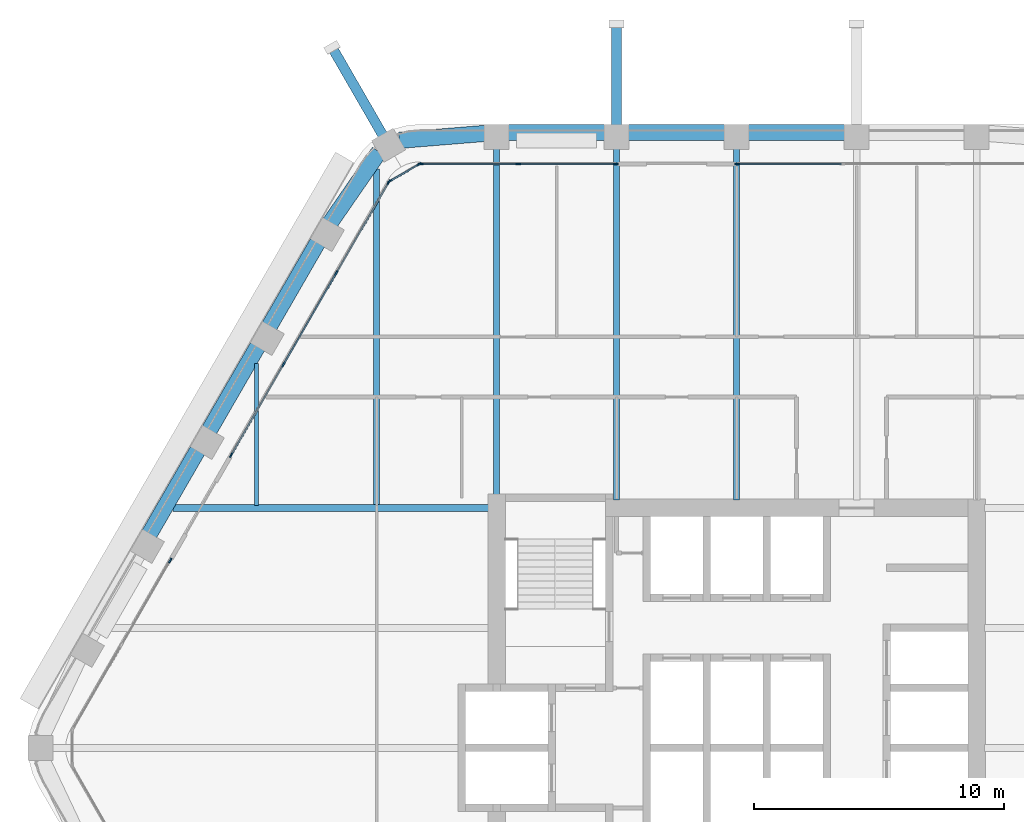
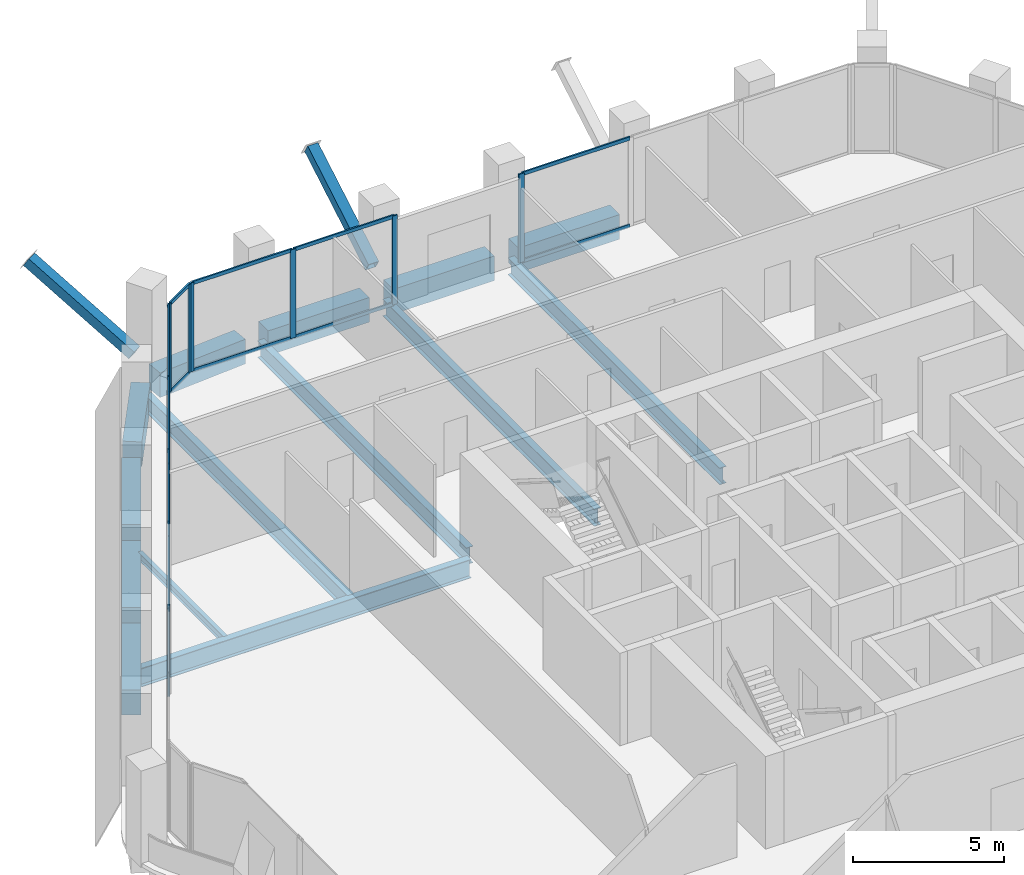
# One storey, part 6 of 16: 27 members, 14 beams, 5 elements without a shape of their own.
"""IFC4 building model written with IfcOpenShell, lengths in metres."""

from ifc_helpers import new_model, si_unit, direction, frame, origin, origin_2d, place, context, subcontext, project, spatial, rectangle, hollow_rectangle, i_section, extrude, material, material_profile, profile_set, type_object, element, aggregate, save


model = new_model("IFC4")

# Units and contexts
model_context = context("Model", 3, precision=1e-05, world=origin(), true_north=direction((0.0, 1.0)))
body_context = subcontext(model_context, "Body", "Model", "MODEL_VIEW")
ifc_project = project(units=[si_unit("LENGTHUNIT", "METRE"), si_unit("AREAUNIT", "SQUARE_METRE"), si_unit("VOLUMEUNIT", "CUBIC_METRE"), si_unit("PLANEANGLEUNIT", "RADIAN"), si_unit("MASSUNIT", "GRAM", prefix="KILO")], contexts=[model_context])

# Site, building, storey
site_placement = place(None, origin())
site = spatial("IfcSite", under=ifc_project, at=site_placement, CompositionType="ELEMENT")
building_placement = place(site_placement, origin())
building = spatial("IfcBuilding", under=site, at=building_placement, Name="Kolab Exchange Tower", CompositionType="ELEMENT")
storey_placement = place(building_placement, frame((0.0, 0.0, 162.199951171875)))
storey = spatial("IfcBuildingStorey", under=building, at=storey_placement, Name="L33", CompositionType="ELEMENT", Elevation=162.199951171875)

# Beams
ifc_material_1 = material(Name="Steel S355", Category="steel")
ifc_material_profile_1 = material_profile(ifc_material_1, i_section(OverallWidth=0.1650390625, OverallDepth=0.31005859375, WebThickness=0.005859375, FlangeThickness=0.009765625, at=origin_2d()), Name="W310X39")
ifc_profile_set_1 = profile_set([ifc_material_profile_1], Name="Steel S355")
beam_type_1 = type_object("IfcBeamType", Name="FLOOR BEAM W310X39", PredefinedType="BEAM", material=ifc_profile_set_1)
beam_1_placement = place(storey_placement, frame((-19.199951171875, 9.693603515625, -0.304931640625), z_axis=(0.0, 1.0, 0.0), x_axis=(-1.0, 0.0, 0.0)))
element("IfcBeam", 1, at=beam_1_placement, inside=storey, type_object=beam_type_1, Name="beam/L33/fr/004", PredefinedType="BEAM", context=body_context, shape_type="SweptSolid", body=[
    extrude(i_section(OverallWidth=0.1650390625, OverallDepth=0.31005859375, WebThickness=0.005859375, FlangeThickness=0.009765625, at=origin_2d()), origin(), (0.0, 0.0, 1.0), 5.674072265625),
])
ifc_material_profile_2 = material_profile(ifc_material_1, i_section(OverallWidth=0.25390625, OverallDepth=0.68408203125, WebThickness=0.012451171875, FlangeThickness=0.018798828125, at=origin_2d()), Name="W690X140")
ifc_profile_set_2 = profile_set([ifc_material_profile_2], Name="Steel S355")
beam_type_2 = type_object("IfcBeamType", Name="FLOOR BEAM W690X140", PredefinedType="BEAM", material=ifc_profile_set_2)
beam_2_placement = place(storey_placement, frame((-14.39990234375, 9.693603515625, -0.491943359375), z_axis=(0.0, 1.0, 0.0), x_axis=(-1.0, 0.0, 0.0)))
element("IfcBeam", 2, at=beam_2_placement, inside=storey, type_object=beam_type_2, Name="beam/L33/fr/006", PredefinedType="BEAM", context=body_context, shape_type="SweptSolid", body=[
    extrude(i_section(OverallWidth=0.25390625, OverallDepth=0.68408203125, WebThickness=0.012451171875, FlangeThickness=0.018798828125, at=origin_2d()), origin(), (0.0, 0.0, 1.0), 13.462158203125),
])
beam_3_placement = place(storey_placement, frame((-9.60009765625, 10.110107421875, -0.491943359375), z_axis=(0.0, 1.0, 0.0), x_axis=(-1.0, 0.0, 0.0)))
element("IfcBeam", 3, at=beam_3_placement, inside=storey, type_object=beam_type_2, Name="beam/L33/fr/008", PredefinedType="BEAM", context=body_context, shape_type="SweptSolid", body=[
    extrude(i_section(OverallWidth=0.25390625, OverallDepth=0.68408203125, WebThickness=0.012451171875, FlangeThickness=0.018798828125, at=origin_2d()), origin(), (0.0, 0.0, 1.0), 13.871337890625),
])
for number, where, z_axis, x_axis, name in (
    (4, (-4.800048828125, 9.909912109375, -0.491943359375), (0.0, 1.0, 0.0), (-1.0, 0.0, 0.0), "beam/L33/fr/010"),
    (5, (0.0, 9.909912109375, -0.491943359375), (0.0, 1.0, 0.0), (-1.0, 0.0, 0.0), "beam/L33/fr/012"),
):
    element("IfcBeam", number, at=place(storey_placement, frame(where, z_axis=z_axis, x_axis=x_axis)), inside=storey, type_object=beam_type_2, Name=name, PredefinedType="BEAM", context=body_context, shape_type="SweptSolid", body=[
        extrude(i_section(OverallWidth=0.25390625, OverallDepth=0.68408203125, WebThickness=0.012451171875, FlangeThickness=0.018798828125, at=origin_2d()), origin(), (0.0, 0.0, 1.0), 14.071533203125),
    ])
ifc_material_profile_3 = material_profile(ifc_material_1, i_section(OverallWidth=0.26708984375, OverallDepth=0.761962890625, WebThickness=0.014404296875, FlangeThickness=0.021484375, at=origin_2d()), Name="W760X173")
ifc_profile_set_3 = profile_set([ifc_material_profile_3], Name="Steel S355")
beam_type_3 = type_object("IfcBeamType", Name="FLOOR GIRDER W760X173", PredefinedType="BEAM", material=ifc_profile_set_3)
beam_4_placement = place(storey_placement, frame((-22.546875, 9.60009765625, -0.531005859375), z_axis=(1.0, 0.0, 0.0), x_axis=(0.0, 1.0, 0.0)))
element("IfcBeam", 6, at=beam_4_placement, inside=storey, type_object=beam_type_3, Name="beam/L33/gd/001", PredefinedType="BEAM", context=body_context, shape_type="SweptSolid", body=[
    extrude(i_section(OverallWidth=0.26708984375, OverallDepth=0.761962890625, WebThickness=0.014404296875, FlangeThickness=0.021484375, at=origin_2d()), origin(), (0.0, 0.0, 1.0), 12.636962890625),
])

# Members
ifc_material_profile_4 = material_profile(ifc_material_1, hollow_rectangle(XDim=0.39990234375, YDim=0.39990234375, WallThickness=0.02001953125, at=origin_2d()), Name="HSS400X400X20")
ifc_profile_set_4 = profile_set([ifc_material_profile_4], Name="Steel S355")
member_type_1 = type_object("IfcMemberType", Name="LEDGE STRUT HSS400X400X20", PredefinedType="STRUT", material=ifc_profile_set_4)
member_1_placement = place(storey_placement, frame((-14.14794921875, 24.5048828125, 0.60009765625), z_axis=(-0.431366436313, 0.74714919009, 0.505659060406), x_axis=(-0.866025579307, -0.499999695987, 0.0)))
element("IfcMember", 7, at=member_1_placement, inside=storey, type_object=member_type_1, Name="mem/L33/ledge/strut-0", PredefinedType="STRUT", context=body_context, shape_type="SweptSolid", body=[
    extrude(hollow_rectangle(XDim=0.39990234375, YDim=0.39990234375, WallThickness=0.02001953125, at=origin_2d()), origin(), (0.0, 0.0, 1.0), 4.682861328125),
])
member_2_placement = place(storey_placement, frame((-4.800048828125, 24.901611328125, 0.60009765625), z_axis=(0.0, 0.862719931648, 0.505682034027), x_axis=(-1.0, 0.0, 0.0)))
element("IfcMember", 8, at=member_2_placement, inside=storey, type_object=member_type_1, Name="mem/L33/ledge/strut-1", PredefinedType="STRUT", context=body_context, shape_type="SweptSolid", body=[
    extrude(hollow_rectangle(XDim=0.39990234375, YDim=0.39990234375, WallThickness=0.02001953125, at=origin_2d()), origin(), (0.0, 0.0, 1.0), 4.6826171875),
])

# Beams
ifc_material_2 = material(Name="Concrete C60/75", Category="concrete")
ifc_material_profile_5 = material_profile(ifc_material_2, rectangle(XDim=0.64990234375, YDim=1.0, at=origin_2d()), Name="RC650X1000")
ifc_profile_set_5 = profile_set([ifc_material_profile_5], Name="Concrete C60/75")
beam_type_4 = type_object("IfcBeamType", Name="SPANDREL BEAM 650X1000 C60/75", PredefinedType="BEAM", material=ifc_profile_set_5)
beam_5_placement = place(storey_placement, frame((-13.493896484375, 24.2998046875, -0.64990234375), z_axis=(0.996708497182, 0.081068931445, 0.0), x_axis=(-0.081068931445, 0.996708497182, 0.0)))
element("IfcBeam", 9, at=beam_5_placement, inside=storey, type_object=beam_type_4, Name="beam/L33/sp/F1-01", PredefinedType="BEAM", context=body_context, shape_type="SweptSolid", body=[
    extrude(rectangle(XDim=0.64990234375, YDim=1.0, at=origin_2d()), origin(), (0.0, 0.0, 1.0), 3.445068359375),
])
beam_6_placement = place(storey_placement, frame((-9.139892578125, 24.616455078125, -0.64990234375), z_axis=(1.0, 0.0, 0.0), x_axis=(0.0, 1.0, 0.0)))
element("IfcBeam", 10, at=beam_6_placement, inside=storey, type_object=beam_type_4, Name="beam/L33/sp/F1-02", PredefinedType="BEAM", context=body_context, shape_type="SweptSolid", body=[
    extrude(rectangle(XDim=0.64990234375, YDim=1.0, at=origin_2d()), origin(), (0.0, 0.0, 1.0), 3.8798828125),
])
for number, where, z_axis, x_axis, name in (
    (11, (-4.340087890625, 24.616455078125, -0.64990234375), (1.0, 0.0, 0.0), (0.0, 1.0, 0.0), "beam/L33/sp/F1-03"),
    (12, (0.4599609375, 24.616455078125, -0.64990234375), (1.0, 0.0, 0.0), (0.0, 1.0, 0.0), "beam/L33/sp/F1-04"),
):
    element("IfcBeam", number, at=place(storey_placement, frame(where, z_axis=z_axis, x_axis=x_axis)), inside=storey, type_object=beam_type_4, Name=name, PredefinedType="BEAM", context=body_context, shape_type="SweptSolid", body=[
        extrude(rectangle(XDim=0.64990234375, YDim=1.0, at=origin_2d()), origin(), (0.0, 0.0, 1.0), 3.880126953125),
    ])
beam_7_placement = place(storey_placement, frame((-23.488525390625, 8.5498046875, -0.64990234375), z_axis=(0.499996613652, 0.866027358884, 0.0), x_axis=(-0.866027358884, 0.499996613652, 0.0)))
element("IfcBeam", 13, at=beam_7_placement, inside=storey, type_object=beam_type_4, Name="beam/L33/sp/F6-03", PredefinedType="BEAM", context=body_context, shape_type="SweptSolid", body=[
    extrude(rectangle(XDim=0.64990234375, YDim=1.0, at=origin_2d()), origin(), (0.0, 0.0, 1.0), 3.8798828125),
])
beam_8_placement = place(storey_placement, frame((-21.088623046875, 12.70654296875, -0.64990234375), z_axis=(0.50001655835, 0.866015843605, 0.0), x_axis=(-0.866015843605, 0.50001655835, 0.0)))
element("IfcBeam", 14, at=beam_8_placement, inside=storey, type_object=beam_type_4, Name="beam/L33/sp/F6-04", PredefinedType="BEAM", context=body_context, shape_type="SweptSolid", body=[
    extrude(rectangle(XDim=0.64990234375, YDim=1.0, at=origin_2d()), origin(), (0.0, 0.0, 1.0), 3.880126953125),
])
beam_9_placement = place(storey_placement, frame((-18.6884765625, 16.863525390625, -0.64990234375), z_axis=(0.499996613652, 0.866027358884, 0.0), x_axis=(-0.866027358884, 0.499996613652, 0.0)))
element("IfcBeam", 15, at=beam_9_placement, inside=storey, type_object=beam_type_4, Name="beam/L33/sp/F6-05", PredefinedType="BEAM", context=body_context, shape_type="SweptSolid", body=[
    extrude(rectangle(XDim=0.64990234375, YDim=1.0, at=origin_2d()), origin(), (0.0, 0.0, 1.0), 3.8798828125),
])
beam_10_placement = place(storey_placement, frame((-16.256103515625, 21.001953125, -0.64990234375), z_axis=(0.568572281073, 0.822633309073, 0.0), x_axis=(-0.822633309073, 0.568572281073, 0.0)))
element("IfcBeam", 16, at=beam_10_placement, inside=storey, type_object=beam_type_4, Name="beam/L33/sp/F6-06", PredefinedType="BEAM", context=body_context, shape_type="SweptSolid", body=[
    extrude(rectangle(XDim=0.64990234375, YDim=1.0, at=origin_2d()), origin(), (0.0, 0.0, 1.0), 3.445068359375),
])

# Curtain wall, members
ifc_material_3 = material(Name="Aluminium EN AW-6063 T6", Category="aluminium")
curtain_wall_type = type_object("IfcCurtainWallType", Name="UNITISED UPPER MID ZONE CURTAIN WALL", PredefinedType="NOTDEFINED", material=ifc_material_3)
curtain_wall_1_placement = place(storey_placement, origin())
curtain_wall_1 = element("IfcCurtainWall", 17, at=curtain_wall_1_placement, inside=storey, type_object=curtain_wall_type, Name="cw/L33/F1-1", PredefinedType="NOTDEFINED")
ifc_material_profile_6 = material_profile(ifc_material_3, rectangle(XDim=0.06005859375, YDim=0.199951171875, at=origin_2d()), Name="RECT 60X200")
ifc_profile_set_6 = profile_set([ifc_material_profile_6], Name="Aluminium EN AW-6063 T6")
member_type_2 = type_object("IfcMemberType", Name="UNITISED UPPER MID ZONE MULLION 60 X 200", PredefinedType="MULLION", material=ifc_profile_set_6)
member_3_placement = place(storey_placement, frame((-12.637939453125, 23.361572265625, 0.0), z_axis=(0.0, 0.0, 1.0), x_axis=(0.0, 1.0, 0.0)))
member_3 = element("IfcMember", 18, at=member_3_placement, type_object=member_type_2, Name="CW3 mullion 1", PredefinedType="MULLION", context=body_context, shape_type="SweptSolid", body=[
    extrude(rectangle(XDim=0.06005859375, YDim=0.199951171875, at=origin_2d()), origin(), (0.0, 0.0, 1.0), 3.60009765625),
])
member_4_placement = place(storey_placement, frame((-8.73388671875, 23.361572265625, 0.0), z_axis=(0.0, 0.0, 1.0), x_axis=(0.0, 1.0, 0.0)))
member_4 = element("IfcMember", 19, at=member_4_placement, type_object=member_type_2, Name="CW3 mullion 2", PredefinedType="MULLION", context=body_context, shape_type="SweptSolid", body=[
    extrude(rectangle(XDim=0.06005859375, YDim=0.199951171875, at=origin_2d()), origin(), (0.0, 0.0, 1.0), 3.60009765625),
])
member_5_placement = place(storey_placement, frame((-4.830078125, 23.361572265625, 0.0), z_axis=(0.0, 0.0, 1.0), x_axis=(0.0, 1.0, 0.0)))
member_5 = element("IfcMember", 20, at=member_5_placement, type_object=member_type_2, Name="CW3 mullion 3", PredefinedType="MULLION", context=body_context, shape_type="SweptSolid", body=[
    extrude(rectangle(XDim=0.06005859375, YDim=0.199951171875, at=origin_2d()), origin(), (0.0, 0.0, 1.0), 3.60009765625),
])

# Curtain wall, member
curtain_wall_2_placement = place(storey_placement, origin())
curtain_wall_2 = element("IfcCurtainWall", 21, at=curtain_wall_2_placement, inside=storey, type_object=curtain_wall_type, Name="cw/L33/F1-2", PredefinedType="NOTDEFINED")
member_6_placement = place(storey_placement, frame((0.030029296875, 23.361572265625, 0.0), z_axis=(0.0, 0.0, 1.0), x_axis=(0.0, 1.0, 0.0)))
member_6 = element("IfcMember", 22, at=member_6_placement, type_object=member_type_2, Name="CW3 mullion 1", PredefinedType="MULLION", context=body_context, shape_type="SweptSolid", body=[
    extrude(rectangle(XDim=0.06005859375, YDim=0.199951171875, at=origin_2d()), origin(), (0.0, 0.0, 1.0), 3.60009765625),
])

curtain_wall_3_placement = place(storey_placement, origin())
curtain_wall_3 = element("IfcCurtainWall", 23, at=curtain_wall_3_placement, inside=storey, type_object=curtain_wall_type, Name="cw/L33/F6-1", PredefinedType="NOTDEFINED")
member_7_placement = place(storey_placement, frame((-22.646728515625, 7.497802734375, 0.0), z_axis=(0.0, 0.0, 1.0), x_axis=(-0.866025440524, 0.499999936366, 0.0)))
member_7 = element("IfcMember", 24, at=member_7_placement, type_object=member_type_2, Name="CW3 mullion 3", PredefinedType="MULLION", context=body_context, shape_type="SweptSolid", body=[
    extrude(rectangle(XDim=0.06005859375, YDim=0.199951171875, at=origin_2d()), origin(), (0.0, 0.0, 1.0), 3.60009765625),
])
aggregate(curtain_wall_3, [member_7])

# Curtain wall, members
curtain_wall_4_placement = place(storey_placement, origin())
curtain_wall_4 = element("IfcCurtainWall", 25, at=curtain_wall_4_placement, inside=storey, type_object=curtain_wall_type, Name="cw/L33/F6-2", PredefinedType="NOTDEFINED")
member_8_placement = place(storey_placement, frame((-20.216796875, 11.706787109375, 0.0), z_axis=(0.0, 0.0, 1.0), x_axis=(-0.866025393644, 0.500000017564, 0.0)))
member_8 = element("IfcMember", 26, at=member_8_placement, type_object=member_type_2, Name="CW3 mullion 1", PredefinedType="MULLION", context=body_context, shape_type="SweptSolid", body=[
    extrude(rectangle(XDim=0.06005859375, YDim=0.199951171875, at=origin_2d()), origin(), (0.0, 0.0, 1.0), 3.60009765625),
])
member_9_placement = place(storey_placement, frame((-18.120361328125, 15.337646484375, 0.0), z_axis=(0.0, 0.0, 1.0), x_axis=(-0.866025393644, 0.500000017564, 0.0)))
member_9 = element("IfcMember", 27, at=member_9_placement, type_object=member_type_2, Name="CW3 mullion 2", PredefinedType="MULLION", context=body_context, shape_type="SweptSolid", body=[
    extrude(rectangle(XDim=0.06005859375, YDim=0.199951171875, at=origin_2d()), origin(), (0.0, 0.0, 1.0), 3.60009765625),
])
member_10_placement = place(storey_placement, frame((-16.009033203125, 18.99462890625, 0.0), z_axis=(0.0, 0.0, 1.0), x_axis=(-0.866025393644, 0.500000017564, 0.0)))
member_10 = element("IfcMember", 28, at=member_10_placement, type_object=member_type_2, Name="CW3 mullion 3", PredefinedType="MULLION", context=body_context, shape_type="SweptSolid", body=[
    extrude(rectangle(XDim=0.06005859375, YDim=0.199951171875, at=origin_2d()), origin(), (0.0, 0.0, 1.0), 3.60009765625),
])
member_11_placement = place(storey_placement, frame((-13.91259765625, 22.62548828125, 0.0), z_axis=(0.0, 0.0, 1.0), x_axis=(-0.866025393644, 0.500000017564, 0.0)))
member_11 = element("IfcMember", 29, at=member_11_placement, type_object=member_type_2, Name="CW3 mullion 4", PredefinedType="MULLION", context=body_context, shape_type="SweptSolid", body=[
    extrude(rectangle(XDim=0.06005859375, YDim=0.199951171875, at=origin_2d()), origin(), (0.0, 0.0, 1.0), 3.60009765625),
])

curtain_wall_5_placement = place(storey_placement, origin())
curtain_wall_5 = element("IfcCurtainWall", 30, at=curtain_wall_5_placement, inside=storey, type_object=curtain_wall_type, Name="cw/L33/F6F1-corner", PredefinedType="NOTDEFINED")
member_12_placement = place(storey_placement, frame((-13.871826171875, 22.66650390625, 0.0), z_axis=(0.0, 0.0, 1.0), x_axis=(-0.50000002237, 0.866025390869, 0.0)))
member_12 = element("IfcMember", 31, at=member_12_placement, type_object=member_type_2, Name="CW3 mullion 1", PredefinedType="MULLION", context=body_context, shape_type="SweptSolid", body=[
    extrude(rectangle(XDim=0.06005859375, YDim=0.199951171875, at=origin_2d()), origin(), (0.0, 0.0, 1.0), 3.60009765625),
])
member_13_placement = place(storey_placement, frame((-12.69384765625, 23.346435546875, 0.0), z_axis=(0.0, 0.0, 1.0), x_axis=(-0.50000002237, 0.866025390869, 0.0)))
member_13 = element("IfcMember", 32, at=member_13_placement, type_object=member_type_2, Name="CW3 mullion 2", PredefinedType="MULLION", context=body_context, shape_type="SweptSolid", body=[
    extrude(rectangle(XDim=0.06005859375, YDim=0.199951171875, at=origin_2d()), origin(), (0.0, 0.0, 1.0), 3.60009765625),
])

# Member
ifc_material_profile_7 = material_profile(ifc_material_3, rectangle(XDim=0.06005859375, YDim=0.139892578125, at=origin_2d()), Name="RECT 60X140")
ifc_profile_set_7 = profile_set([ifc_material_profile_7], Name="Aluminium EN AW-6063 T6")
member_type_3 = type_object("IfcMemberType", Name="UNITISED UPPER MID ZONE TRANSOM 60 X 140", PredefinedType="USERDEFINED", material=ifc_profile_set_7)
member_14_placement = place(storey_placement, frame((-12.60791015625, 23.361572265625, 0.030029296875), z_axis=(1.0, 0.0, 0.0), x_axis=(0.0, 1.0, 0.0)))
member_14 = element("IfcMember", 33, at=member_14_placement, type_object=member_type_3, Name="CW3 transom 1.1", ObjectType="TRANSOM", PredefinedType="USERDEFINED", context=body_context, shape_type="SweptSolid", body=[
    extrude(rectangle(XDim=0.06005859375, YDim=0.139892578125, at=origin_2d()), origin(), (0.0, 0.0, 1.0), 3.843994140625),
])

member_15_placement = place(storey_placement, frame((-12.60791015625, 23.361572265625, 3.570068359375), z_axis=(1.0, 0.0, 0.0), x_axis=(0.0, 1.0, 0.0)))
member_15 = element("IfcMember", 34, at=member_15_placement, type_object=member_type_3, Name="CW3 transom 1.2", ObjectType="TRANSOM", PredefinedType="USERDEFINED", context=body_context, shape_type="SweptSolid", body=[
    extrude(rectangle(XDim=0.06005859375, YDim=0.139892578125, at=origin_2d()), origin(), (0.0, 0.0, 1.0), 3.843994140625),
])

member_16_placement = place(storey_placement, frame((-8.703857421875, 23.361572265625, 0.030029296875), z_axis=(1.0, 0.0, 0.0), x_axis=(0.0, 1.0, 0.0)))
member_16 = element("IfcMember", 35, at=member_16_placement, type_object=member_type_3, Name="CW3 transom 2.1", ObjectType="TRANSOM", PredefinedType="USERDEFINED", context=body_context, shape_type="SweptSolid", body=[
    extrude(rectangle(XDim=0.06005859375, YDim=0.139892578125, at=origin_2d()), origin(), (0.0, 0.0, 1.0), 3.84375),
])

member_17_placement = place(storey_placement, frame((-8.703857421875, 23.361572265625, 3.570068359375), z_axis=(1.0, 0.0, 0.0), x_axis=(0.0, 1.0, 0.0)))
member_17 = element("IfcMember", 36, at=member_17_placement, type_object=member_type_3, Name="CW3 transom 2.2", ObjectType="TRANSOM", PredefinedType="USERDEFINED", context=body_context, shape_type="SweptSolid", body=[
    extrude(rectangle(XDim=0.06005859375, YDim=0.139892578125, at=origin_2d()), origin(), (0.0, 0.0, 1.0), 3.84375),
])

aggregate(curtain_wall_1, [member_3, member_4, member_5, member_14, member_15, member_16, member_17])

member_18_placement = place(storey_placement, frame((0.06005859375, 23.361572265625, 0.030029296875), z_axis=(1.0, 0.0, 0.0), x_axis=(0.0, 1.0, 0.0)))
member_18 = element("IfcMember", 37, at=member_18_placement, type_object=member_type_3, Name="CW3 transom 1.1", ObjectType="TRANSOM", PredefinedType="USERDEFINED", context=body_context, shape_type="SweptSolid", body=[
    extrude(rectangle(XDim=0.06005859375, YDim=0.139892578125, at=origin_2d()), origin(), (0.0, 0.0, 1.0), 4.132568359375),
])

member_19_placement = place(storey_placement, frame((0.06005859375, 23.361572265625, 3.570068359375), z_axis=(1.0, 0.0, 0.0), x_axis=(0.0, 1.0, 0.0)))
member_19 = element("IfcMember", 38, at=member_19_placement, type_object=member_type_3, Name="CW3 transom 1.2", ObjectType="TRANSOM", PredefinedType="USERDEFINED", context=body_context, shape_type="SweptSolid", body=[
    extrude(rectangle(XDim=0.06005859375, YDim=0.139892578125, at=origin_2d()), origin(), (0.0, 0.0, 1.0), 4.132568359375),
])

aggregate(curtain_wall_2, [member_6, member_18, member_19])

member_20_placement = place(storey_placement, frame((-20.20166015625, 11.732666015625, 0.030029296875), z_axis=(0.500001996123, 0.866024251319, 0.0), x_axis=(-0.866024251319, 0.500001996123, 0.0)))
member_20 = element("IfcMember", 39, at=member_20_placement, type_object=member_type_3, Name="CW3 transom 1.1", ObjectType="TRANSOM", PredefinedType="USERDEFINED", context=body_context, shape_type="SweptSolid", body=[
    extrude(rectangle(XDim=0.06005859375, YDim=0.139892578125, at=origin_2d()), origin(), (0.0, 0.0, 1.0), 4.1328125),
])

member_21_placement = place(storey_placement, frame((-20.20166015625, 11.732666015625, 3.570068359375), z_axis=(0.500001996123, 0.866024251319, 0.0), x_axis=(-0.866024251319, 0.500001996123, 0.0)))
member_21 = element("IfcMember", 40, at=member_21_placement, type_object=member_type_3, Name="CW3 transom 1.2", ObjectType="TRANSOM", PredefinedType="USERDEFINED", context=body_context, shape_type="SweptSolid", body=[
    extrude(rectangle(XDim=0.06005859375, YDim=0.139892578125, at=origin_2d()), origin(), (0.0, 0.0, 1.0), 4.1328125),
])

member_22_placement = place(storey_placement, frame((-18.10546875, 15.36376953125, 0.030029296875), z_axis=(0.500037208726, 0.86600392025, 0.0), x_axis=(-0.86600392025, 0.500037208726, 0.0)))
member_22 = element("IfcMember", 41, at=member_22_placement, type_object=member_type_3, Name="CW3 transom 2.1", ObjectType="TRANSOM", PredefinedType="USERDEFINED", context=body_context, shape_type="SweptSolid", body=[
    extrude(rectangle(XDim=0.06005859375, YDim=0.139892578125, at=origin_2d()), origin(), (0.0, 0.0, 1.0), 4.162841796875),
])

member_23_placement = place(storey_placement, frame((-18.10546875, 15.36376953125, 3.570068359375), z_axis=(0.500037208726, 0.86600392025, 0.0), x_axis=(-0.86600392025, 0.500037208726, 0.0)))
member_23 = element("IfcMember", 42, at=member_23_placement, type_object=member_type_3, Name="CW3 transom 2.2", ObjectType="TRANSOM", PredefinedType="USERDEFINED", context=body_context, shape_type="SweptSolid", body=[
    extrude(rectangle(XDim=0.06005859375, YDim=0.139892578125, at=origin_2d()), origin(), (0.0, 0.0, 1.0), 4.162841796875),
])

member_24_placement = place(storey_placement, frame((-15.994140625, 19.0205078125, 0.030029296875), z_axis=(0.500001996123, 0.866024251319, 0.0), x_axis=(-0.866024251319, 0.500001996123, 0.0)))
member_24 = element("IfcMember", 43, at=member_24_placement, type_object=member_type_3, Name="CW3 transom 3.1", ObjectType="TRANSOM", PredefinedType="USERDEFINED", context=body_context, shape_type="SweptSolid", body=[
    extrude(rectangle(XDim=0.06005859375, YDim=0.139892578125, at=origin_2d()), origin(), (0.0, 0.0, 1.0), 4.1328125),
])

member_25_placement = place(storey_placement, frame((-15.994140625, 19.0205078125, 3.570068359375), z_axis=(0.500001996123, 0.866024251319, 0.0), x_axis=(-0.866024251319, 0.500001996123, 0.0)))
member_25 = element("IfcMember", 44, at=member_25_placement, type_object=member_type_3, Name="CW3 transom 3.2", ObjectType="TRANSOM", PredefinedType="USERDEFINED", context=body_context, shape_type="SweptSolid", body=[
    extrude(rectangle(XDim=0.06005859375, YDim=0.139892578125, at=origin_2d()), origin(), (0.0, 0.0, 1.0), 4.1328125),
])

aggregate(curtain_wall_4, [member_8, member_9, member_10, member_11, member_20, member_21, member_22, member_23, member_24, member_25])

member_26_placement = place(storey_placement, frame((-13.845703125, 22.681640625, 0.030029296875), z_axis=(0.86603858612, 0.49997716683, 0.0), x_axis=(-0.49997716683, 0.86603858612, 0.0)))
member_26 = element("IfcMember", 45, at=member_26_placement, type_object=member_type_3, Name="CW3 transom 1.1", ObjectType="TRANSOM", PredefinedType="USERDEFINED", context=body_context, shape_type="SweptSolid", body=[
    extrude(rectangle(XDim=0.06005859375, YDim=0.139892578125, at=origin_2d()), origin(), (0.0, 0.0, 1.0), 1.2998046875),
])

member_27_placement = place(storey_placement, frame((-13.845703125, 22.681640625, 3.570068359375), z_axis=(0.86603858612, 0.49997716683, 0.0), x_axis=(-0.49997716683, 0.86603858612, 0.0)))
member_27 = element("IfcMember", 46, at=member_27_placement, type_object=member_type_3, Name="CW3 transom 1.2", ObjectType="TRANSOM", PredefinedType="USERDEFINED", context=body_context, shape_type="SweptSolid", body=[
    extrude(rectangle(XDim=0.06005859375, YDim=0.139892578125, at=origin_2d()), origin(), (0.0, 0.0, 1.0), 1.2998046875),
])

aggregate(curtain_wall_5, [member_12, member_13, member_26, member_27])

save(model, "model.ifc")
